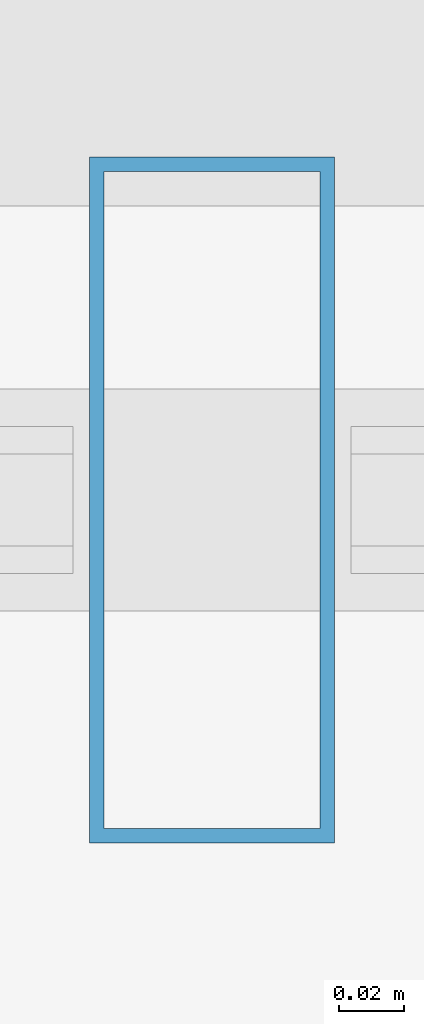
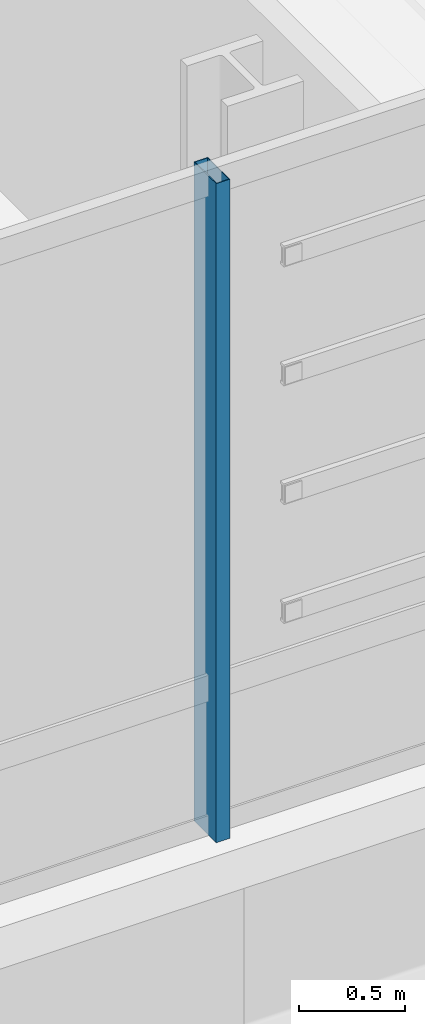
# One storey, part 6 of 36: 1 member, 1 element without a shape of its own.
"""IFC4 building model written with IfcOpenShell, lengths in metres."""

from ifc_helpers import new_model, si_unit, direction, frame, origin, origin_2d, place, context, subcontext, project, spatial, hollow_rectangle, extrude, material, material_profile, profile_set, type_object, element, aggregate, save


model = new_model("IFC4")

# Units and contexts
model_context = context("Model", 3, precision=1e-05, world=origin(), true_north=direction((0.0, 1.0)))
body_context = subcontext(model_context, "Body", "Model", "MODEL_VIEW")
ifc_project = project(units=[si_unit("LENGTHUNIT", "METRE"), si_unit("AREAUNIT", "SQUARE_METRE"), si_unit("VOLUMEUNIT", "CUBIC_METRE"), si_unit("PLANEANGLEUNIT", "RADIAN"), si_unit("MASSUNIT", "GRAM", prefix="KILO")], contexts=[model_context])

# Site, building, storey
site_placement = place(None, origin())
site = spatial("IfcSite", under=ifc_project, at=site_placement, CompositionType="ELEMENT")
building_placement = place(site_placement, origin())
building = spatial("IfcBuilding", under=site, at=building_placement, Name="Punatoya Terracotta Tower", CompositionType="ELEMENT")
storey_placement = place(building_placement, frame((0.0, 0.0, 40.35009765625)))
storey = spatial("IfcBuildingStorey", under=building, at=storey_placement, Name="L08", CompositionType="ELEMENT", Elevation=40.35009765625)

# Curtain wall, member
ifc_material_1 = material(Name="Aluminium 6063-T6 + Double Low-E Glass", Category="aluminium")
curtain_wall_type = type_object("IfcCurtainWallType", Name="CW-M1", PredefinedType="NOTDEFINED", material=ifc_material_1)
curtain_wall_placement = place(storey_placement, origin())
curtain_wall = element("IfcCurtainWall", 1, at=curtain_wall_placement, inside=storey, type_object=curtain_wall_type, Name="L08 Curtain Wall CW-L08-S01-1", PredefinedType="NOTDEFINED")
ifc_material_2 = material(Name="Aluminium 6063-T6", Category="aluminium")
ifc_material_profile = material_profile(ifc_material_2, hollow_rectangle(XDim=0.074951171875, YDim=0.2099609375, WallThickness=0.00439453125, at=origin_2d()))
ifc_profile_set = profile_set([ifc_material_profile], Name="Aluminium 6063-T6")
member_type = type_object("IfcMemberType", Name="CW-MUL-M1", PredefinedType="MULLION", material=ifc_profile_set)
member_placement = place(storey_placement, frame((-4.1669921875, -23.25, 0.0), z_axis=(0.0, 0.0, 1.0), x_axis=(1.0, 0.0, 0.0)))
member = element("IfcMember", 2, at=member_placement, type_object=member_type, Name="CW-L08-S01-1 Mullion 05", PredefinedType="MULLION", context=body_context, shape_type="SweptSolid", body=[
    extrude(hollow_rectangle(XDim=0.074951171875, YDim=0.2099609375, WallThickness=0.00439453125, at=origin_2d()), origin(), (0.0, 0.0, 1.0), 3.809814453125),
])
aggregate(curtain_wall, [member])

save(model, "model.ifc")
